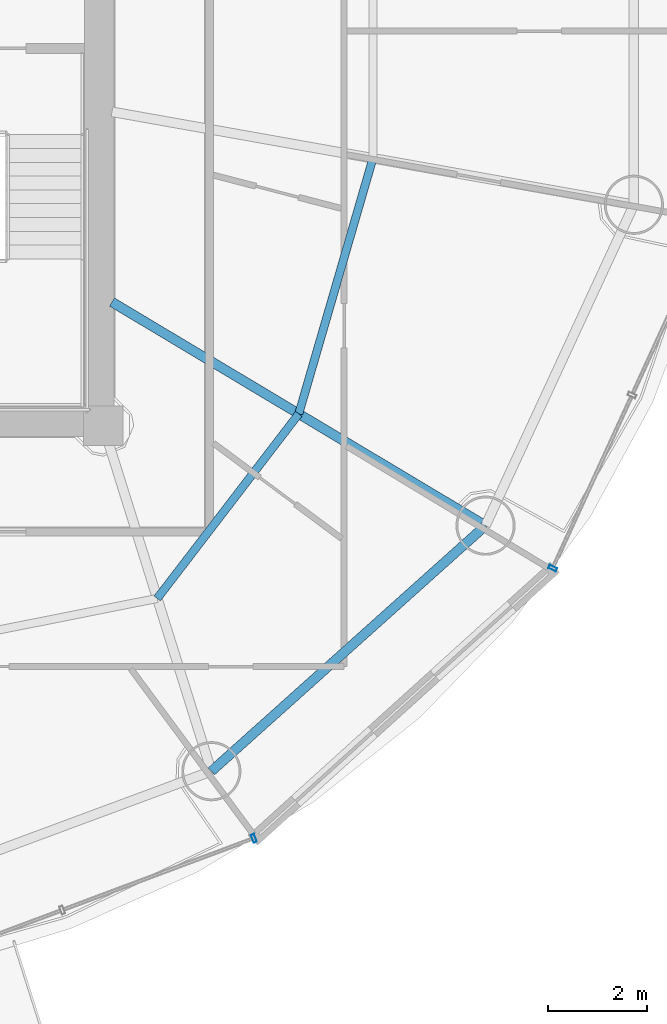
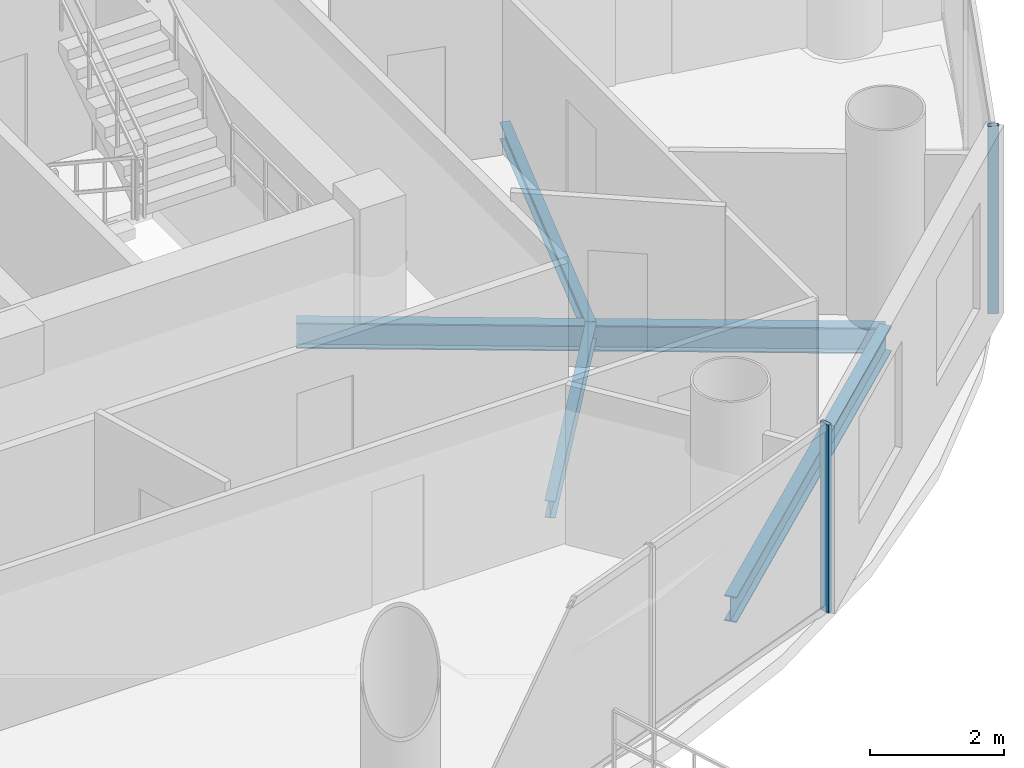
# One storey, part 11 of 26: 4 beams, 2 members, 2 elements without a shape of their own.
"""IFC4 building model written with IfcOpenShell, lengths in metres."""

import ifcopenshell
import ifcopenshell.guid

model = None  # the IFC model being written
_history = None  # IfcOwnerHistory: only IFC2X3 demands one
_inside = {}  # id of a spatial element -> (the spatial element, [elements in it])
_under = {}  # id of a project, library or spatial element -> (it, [spatial elements below it])
_declared = {}  # id of a project -> (the project, [libraries it declares])
_typed = {}  # id of a type object -> (the type object, [elements of that type])
_made_of = {}  # id of a material, layer set ... -> (it, [elements and type objects made of it])


def new_model(schema):
    """Start an empty IFC model of exactly this schema.

    Asked for "IFC4X3", IfcOpenShell would pick the latest addendum, in which some entities
    have other attributes; the version numbers below select the first issue.
    IFC2X3 requires an IfcOwnerHistory on every rooted entity: one is made here for all.
    """
    global model, _history
    if schema == "IFC4X3":
        model = ifcopenshell.file(schema_version=(4, 3, 0, 0))
    else:
        model = ifcopenshell.file(schema=schema)
    _inside.clear()
    _under.clear()
    _declared.clear()
    _typed.clear()
    _made_of.clear()
    _history = None
    if model.schema == "IFC2X3":
        org = make("IfcOrganization", Name="unknown")
        user = make(
            "IfcPersonAndOrganization",
            ThePerson=make("IfcPerson", FamilyName="unknown"),
            TheOrganization=org,
        )
        app = make(
            "IfcApplication",
            ApplicationDeveloper=org,
            Version="unknown",
            ApplicationFullName="unknown",
            ApplicationIdentifier="unknown",
        )
        _history = make(
            "IfcOwnerHistory",
            OwningUser=user,
            OwningApplication=app,
            ChangeAction="ADDED",
            CreationDate=0,
        )
    return model


def make(cls, **values):
    """One entity of the class cls with the attributes given. An attribute that is None is left unset."""
    return model.create_entity(
        cls, **{name: value for name, value in values.items() if value is not None}
    )


def rooted(cls, **values):
    """An entity with a GlobalId (a new one), such as an element, a storey or a relation."""
    return make(cls, GlobalId=ifcopenshell.guid.new(), OwnerHistory=_history, **values)


def si_unit(unit_type, name, prefix=None):
    """IfcSIUnit, for example si_unit("LENGTHUNIT", "METRE", prefix="MILLI")."""
    return make("IfcSIUnit", UnitType=unit_type, Prefix=prefix, Name=name)


def assignment(units):
    """IfcUnitAssignment: the units of a project."""
    return None if units is None else make("IfcUnitAssignment", Units=units)


def point(xyz):
    """IfcCartesianPoint."""
    return None if xyz is None else make("IfcCartesianPoint", Coordinates=xyz)


def direction(xyz):
    """IfcDirection."""
    return None if xyz is None else make("IfcDirection", DirectionRatios=xyz)


def frame(location, z_axis=None, x_axis=None):
    """IfcAxis2Placement3D, a coordinate frame: its origin and axes. An axis left out is left unset."""
    return make(
        "IfcAxis2Placement3D",
        Location=point(location),
        Axis=direction(z_axis),
        RefDirection=direction(x_axis),
    )


def frame_2d(location, x_axis=None):
    """IfcAxis2Placement2D, a coordinate frame in the plane: its origin and x axis."""
    return make(
        "IfcAxis2Placement2D", Location=point(location), RefDirection=direction(x_axis)
    )


def origin():
    """The frame at (0, 0, 0) with its axes left unset."""
    return frame((0.0, 0.0, 0.0))


def origin_2d():
    """The frame at (0, 0) in the plane with its x axis left unset."""
    return frame_2d((0.0, 0.0))


def place(relative_to, where):
    """IfcLocalPlacement: puts the frame where relative to a parent placement (None: the world)."""
    return make(
        "IfcLocalPlacement", PlacementRelTo=relative_to, RelativePlacement=where
    )


def context(
    kind, dimensions, precision=None, world=None, true_north=None, identifier=None
):
    """IfcGeometricRepresentationContext, for example the 3D "Model" context."""
    return make(
        "IfcGeometricRepresentationContext",
        ContextIdentifier=identifier,
        ContextType=kind,
        CoordinateSpaceDimension=dimensions,
        Precision=precision,
        WorldCoordinateSystem=world,
        TrueNorth=true_north,
    )


def subcontext(parent, identifier, kind, view, scale=None):
    """IfcGeometricRepresentationSubContext, for example "Body" below "Model"."""
    return make(
        "IfcGeometricRepresentationSubContext",
        ContextIdentifier=identifier,
        ContextType=kind,
        ParentContext=parent,
        TargetScale=scale,
        TargetView=view,
    )


def project(units=None, contexts=None):
    """IfcProject with its units and contexts."""
    return rooted(
        "IfcProject",
        Name="project",
        RepresentationContexts=contexts,
        UnitsInContext=assignment(units),
    )


def spatial(cls, under=None, at=None, **own):
    """A site, building, storey or space (cls), placed at a placement, below another one or the project."""
    s = rooted(cls, ObjectPlacement=at, **own)
    if under is not None:
        _under.setdefault(under.id(), (under, []))[1].append(s)
    return s


def profile(cls, at=None, kind="AREA", **sizes):
    """A parametric profile (cls). Its sizes go by their IFC names, for example OverallWidth=200.0."""
    return make(cls, ProfileType=kind, Position=at, **sizes)


def hollow_rectangle(**sizes):
    """IfcRectangleHollowProfileDef."""
    return profile("IfcRectangleHollowProfileDef", **sizes)


def i_section(**sizes):
    """IfcIShapeProfileDef."""
    return profile("IfcIShapeProfileDef", **sizes)


def extrude(swept, where, along, depth):
    """IfcExtrudedAreaSolid: the profile swept, set in the frame where, extruded along a direction by depth."""
    return make(
        "IfcExtrudedAreaSolid",
        SweptArea=swept,
        Position=where,
        ExtrudedDirection=direction(along),
        Depth=depth,
    )


def shape(context_of_items, identifier, shape_type, items):
    """IfcShapeRepresentation: the items that make up one representation, for example the "Body"."""
    return make(
        "IfcShapeRepresentation",
        ContextOfItems=context_of_items,
        RepresentationIdentifier=identifier,
        RepresentationType=shape_type,
        Items=items,
    )


def source(mapping_origin, context_of_items, identifier, shape_type, items):
    """IfcRepresentationMap: a shape defined once, which mapped items show again and again."""
    return make(
        "IfcRepresentationMap",
        MappingOrigin=mapping_origin,
        MappedRepresentation=shape(context_of_items, identifier, shape_type, items),
    )


def transform(
    local_origin,
    x_axis=None,
    y_axis=None,
    z_axis=None,
    scale=None,
    scale2=None,
    scale3=None,
    uniform=True,
):
    """IfcCartesianTransformationOperator3D, or its non-uniform kind. x_axis, y_axis, z_axis: its Axis1, 2, 3."""
    if uniform:
        return make(
            "IfcCartesianTransformationOperator3D",
            Axis1=direction(x_axis),
            Axis2=direction(y_axis),
            LocalOrigin=point(local_origin),
            Scale=scale,
            Axis3=direction(z_axis),
        )
    return make(
        "IfcCartesianTransformationOperator3DnonUniform",
        Axis1=direction(x_axis),
        Axis2=direction(y_axis),
        LocalOrigin=point(local_origin),
        Scale=scale,
        Axis3=direction(z_axis),
        Scale2=scale2,
        Scale3=scale3,
    )


def mapped(mapping_source, mapping_target):
    """IfcMappedItem: shows the shape of a source again, moved by a transform."""
    return make(
        "IfcMappedItem", MappingSource=mapping_source, MappingTarget=mapping_target
    )


def material(Name=None, Category=None):
    """IfcMaterial."""
    return make("IfcMaterial", Name=Name, Category=Category)


def material_profile(
    of_material, cross_section, Name=None, Category=None, Priority=None
):
    """IfcMaterialProfile: a cross section and its material."""
    return make(
        "IfcMaterialProfile",
        Name=Name,
        Material=of_material,
        Profile=cross_section,
        Priority=Priority,
        Category=Category,
    )


def profile_set(profiles, Name=None, composite=None):
    """IfcMaterialProfileSet."""
    return make(
        "IfcMaterialProfileSet",
        Name=Name,
        MaterialProfiles=profiles,
        CompositeProfile=composite,
    )


def made_of(thing, what):
    """Note that an element or type object is made of a material, layer set ...; save() writes the relation."""
    if what is not None:
        _made_of.setdefault(what.id(), (what, []))[1].append(thing)
    return thing


def type_object(cls, material=None, **own):
    """A type object (cls), such as IfcWallType, which elements share."""
    return made_of(rooted(cls, **own), material)


def element(
    cls,
    number,
    at=None,
    inside=None,
    cuts=None,
    type_object=None,
    material=None,
    context=None,
    identifier="Body",
    shape_type=None,
    held_by="IfcProductDefinitionShape",
    body=None,
    shapes=None,
    **own,
):
    """One element of the class cls, such as IfcWall. Its Tag is "e" and its number.

    at: its placement. inside: the storey or other place that contains it. cuts: it is an
    opening in that element (IfcRelVoidsElement). A single representation is given by context,
    identifier, shape_type and body (its items); several are given by shapes. held_by: the class
    of the entity that holds the representations. save() writes the other relations.
    """
    e = rooted(cls, Tag="e%d" % number, ObjectPlacement=at, **own)
    if body is not None:
        shapes = [shape(context, identifier, shape_type, body)]
    if shapes is not None:
        e.Representation = make(held_by, Representations=shapes)
    if inside is not None:
        _inside.setdefault(inside.id(), (inside, []))[1].append(e)
    if cuts is not None:
        rooted(
            "IfcRelVoidsElement", RelatingBuildingElement=cuts, RelatedOpeningElement=e
        )
    if type_object is not None:
        _typed.setdefault(type_object.id(), (type_object, []))[1].append(e)
    return made_of(e, material)


def aggregate(whole, parts):
    """IfcRelAggregates: a whole, such as a stair, and the parts it consists of."""
    return rooted("IfcRelAggregates", RelatingObject=whole, RelatedObjects=parts)


def save(model, path):
    """Write the relations noted so far, then the file.

    IfcRelAggregates (storeys below a building ...), IfcRelContainedInSpatialStructure (elements
    in a storey), IfcRelDefinesByType, IfcRelAssociatesMaterial and IfcRelDeclares: one each for
    every whole, place, type object, material and project.
    """
    for whole, parts in _under.values():
        aggregate(whole, parts)
    for where, things in _inside.values():
        rooted(
            "IfcRelContainedInSpatialStructure",
            RelatedElements=things,
            RelatingStructure=where,
        )
    for kind, things in _typed.values():
        rooted("IfcRelDefinesByType", RelatedObjects=things, RelatingType=kind)
    for what, things in _made_of.values():
        rooted("IfcRelAssociatesMaterial", RelatedObjects=things, RelatingMaterial=what)
    for by, libraries in _declared.values():
        rooted("IfcRelDeclares", RelatingContext=by, RelatedDefinitions=libraries)
    model.write(path)


model = new_model("IFC4")

# Units and contexts
model_context = context("Model", 3, precision=1e-05, world=origin(), true_north=direction((-0.2419218956, 0.970295726276)))
body_context = subcontext(model_context, "Body", "Model", "MODEL_VIEW")
ifc_project = project(units=[si_unit("LENGTHUNIT", "METRE"), si_unit("AREAUNIT", "SQUARE_METRE"), si_unit("VOLUMEUNIT", "CUBIC_METRE"), si_unit("PLANEANGLEUNIT", "RADIAN"), si_unit("MASSUNIT", "GRAM", prefix="KILO")], contexts=[model_context])

# Site, building, storey
site_placement = place(None, origin())
site = spatial("IfcSite", under=ifc_project, at=site_placement, CompositionType="ELEMENT")
building_placement = place(site_placement, origin())
building = spatial("IfcBuilding", under=site, at=building_placement, Name="Cobrevalo Terracotta Tower", CompositionType="ELEMENT")
storey_placement = place(building_placement, frame((0.0, 0.0, 231.89990234375)))
storey = spatial("IfcBuildingStorey", under=building, at=storey_placement, Name="L61", CompositionType="ELEMENT", Elevation=231.89990234375)

# Beams
ifc_material_1 = material(Name="Steel S355", Category="steel")
ifc_material_profile_1 = material_profile(ifc_material_1, i_section(OverallWidth=0.194091796875, OverallDepth=0.468994140625, WebThickness=0.011474609375, FlangeThickness=0.0205078125, at=origin_2d()), Name="W 460x106")
ifc_profile_set_1 = profile_set([ifc_material_profile_1], Name="Steel S355")
beam_type_1 = type_object("IfcBeamType", Name="Structural Beam W 460x106 (Steel S355)", PredefinedType="BEAM", material=ifc_profile_set_1)
beam_1_placement = place(storey_placement, frame((54.754150390625, 16.77197265625, -0.49951171875), z_axis=(-0.858046392192, 0.513572184651, 0.0), x_axis=(-0.513572184651, -0.858046392192, 0.0)))
element("IfcBeam", 1, at=beam_1_placement, inside=storey, type_object=beam_type_1, Name="L61 radial floor girder 15", PredefinedType="BEAM", context=body_context, shape_type="SweptSolid", body=[
    extrude(i_section(OverallWidth=0.194091796875, OverallDepth=0.468994140625, WebThickness=0.011474609375, FlangeThickness=0.0205078125, at=origin_2d()), origin(), (0.0, 0.0, 1.0), 8.827392578125),
])
ifc_material_profile_2 = material_profile(ifc_material_1, i_section(OverallWidth=0.1650390625, OverallDepth=0.31005859375, WebThickness=0.005859375, FlangeThickness=0.009765625, at=origin_2d()), Name="W 310x38.7")
ifc_profile_set_2 = profile_set([ifc_material_profile_2], Name="Steel S355")
beam_type_2 = type_object("IfcBeamType", Name="Structural Joist W 310x38.7 (Steel S355)", PredefinedType="JOIST", material=ifc_profile_set_2)
beam_2_placement = place(storey_placement, frame((48.097412109375, 15.2958984375, -0.419921875), z_axis=(0.608464146296, 0.793581364872, 0.0), x_axis=(-0.793581364872, 0.608464146296, 0.0)))
element("IfcBeam", 2, at=beam_2_placement, inside=storey, type_object=beam_type_2, Name="L61 circumferential secondary floor joist 14", PredefinedType="JOIST", context=body_context, shape_type="SweptSolid", body=[
    extrude(i_section(OverallWidth=0.1650390625, OverallDepth=0.31005859375, WebThickness=0.005859375, FlangeThickness=0.009765625, at=origin_2d()), origin(), (0.0, 0.0, 1.0), 4.716064453125),
])
beam_3_placement = place(storey_placement, frame((50.967041015625, 19.03857421875, -0.419921875), z_axis=(0.278757705995, 0.960361463902, 0.0), x_axis=(-0.960361463902, 0.278757705995, 0.0)))
element("IfcBeam", 3, at=beam_3_placement, inside=storey, type_object=beam_type_2, Name="L61 circumferential secondary floor joist 15", PredefinedType="JOIST", context=body_context, shape_type="SweptSolid", body=[
    extrude(i_section(OverallWidth=0.1650390625, OverallDepth=0.31005859375, WebThickness=0.005859375, FlangeThickness=0.009765625, at=origin_2d()), origin(), (0.0, 0.0, 1.0), 5.396728515625),
])
ifc_material_profile_3 = material_profile(ifc_material_1, i_section(OverallWidth=0.194091796875, OverallDepth=0.468994140625, WebThickness=0.011474609375, FlangeThickness=0.0205078125, at=origin_2d()), Name="W 460x106")
ifc_profile_set_3 = profile_set([ifc_material_profile_3], Name="Steel S355")
beam_type_3 = type_object("IfcBeamType", Name="Structural Spandrel W 460x106 (Steel S355)", PredefinedType="SPANDREL", material=ifc_profile_set_3)
beam_4_placement = place(storey_placement, frame((49.19482421875, 11.7919921875, -0.49951171875), z_axis=(0.744851930997, 0.667229796165, 0.0), x_axis=(-0.667229796165, 0.744851930997, 0.0)))
element("IfcBeam", 4, at=beam_4_placement, inside=storey, type_object=beam_type_3, Name="L61 perimeter ring spandrel 14", PredefinedType="SPANDREL", context=body_context, shape_type="SweptSolid", body=[
    extrude(i_section(OverallWidth=0.194091796875, OverallDepth=0.468994140625, WebThickness=0.011474609375, FlangeThickness=0.0205078125, at=origin_2d()), origin(), (0.0, 0.0, 1.0), 7.463623046875),
])

# Curtain wall, member
ifc_material_2 = material(Name="Anodized aluminium", Category="aluminium")
curtain_wall_type = type_object("IfcCurtainWallType", Name="Mid-tower high-wind unitised curtain wall CW-U2", PredefinedType="NOTDEFINED", material=ifc_material_2)
curtain_wall_1_placement = place(storey_placement, origin())
curtain_wall_1 = element("IfcCurtainWall", 5, at=curtain_wall_1_placement, inside=storey, type_object=curtain_wall_type, Name="L61 curtain wall CW-L61-S13", PredefinedType="NOTDEFINED")
ifc_material_profile_4 = material_profile(ifc_material_2, hollow_rectangle(XDim=0.070068359375, YDim=0.169921875, WallThickness=0.00439453125, at=origin_2d()), Name="CWM 70x170")
ifc_profile_set_4 = profile_set([ifc_material_profile_4], Name="Anodized aluminium")
member_type = type_object("IfcMemberType", Name="Upper tower unitised mullion 70x170", PredefinedType="MULLION", material=ifc_profile_set_4)
shared_shape = source(origin(), body_context, "Body", "SweptSolid", [
    extrude(hollow_rectangle(XDim=0.070068359375, YDim=0.169921875, WallThickness=0.00439453125, at=origin_2d()), origin(), (0.0, 0.0, 1.0), 3.43505859375),
])
member_1_placement = place(storey_placement, frame((50.057373046875, 10.430908203125, 0.0), z_axis=(0.0, 0.0, 1.0), x_axis=(0.936556004584, 0.350517974259, 0.0)))
member_1 = element("IfcMember", 6, at=member_1_placement, type_object=member_type, Name="CW-L61-S13 vertical mullion 03", PredefinedType="MULLION", context=body_context, shape_type="MappedRepresentation", body=[
    mapped(shared_shape, transform((0.0, 0.0, 0.0), scale=1.0)),
])
aggregate(curtain_wall_1, [member_1])

curtain_wall_2_placement = place(storey_placement, origin())
curtain_wall_2 = element("IfcCurtainWall", 7, at=curtain_wall_2_placement, inside=storey, type_object=curtain_wall_type, Name="L61 curtain wall CW-L61-S15", PredefinedType="NOTDEFINED")
member_2_placement = place(storey_placement, frame((56.11767578125, 15.908203125, 0.0), z_axis=(0.0, 0.0, 1.0), x_axis=(0.41672507912, 0.909032567311, 0.0)))
member_2 = element("IfcMember", 8, at=member_2_placement, type_object=member_type, Name="CW-L61-S15 vertical mullion 01", PredefinedType="MULLION", context=body_context, shape_type="MappedRepresentation", body=[
    mapped(shared_shape, transform((0.0, 0.0, 0.0), scale=1.0)),
])
aggregate(curtain_wall_2, [member_2])

save(model, "model.ifc")
